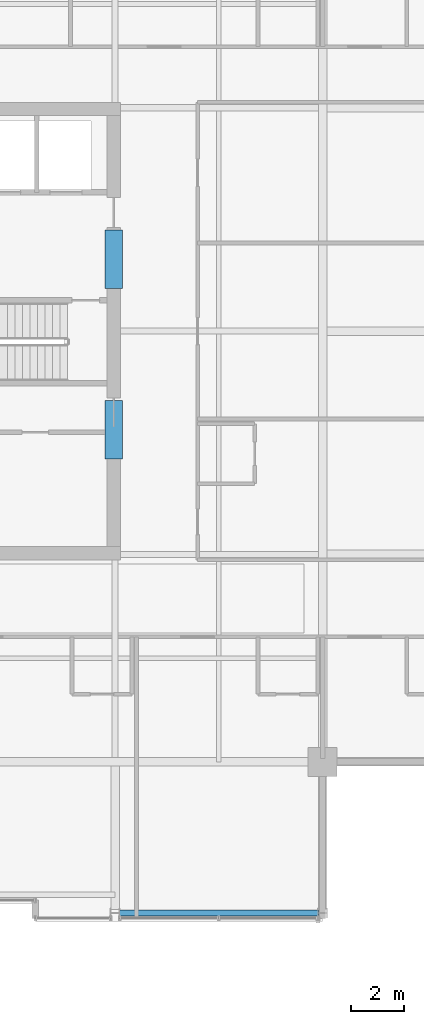
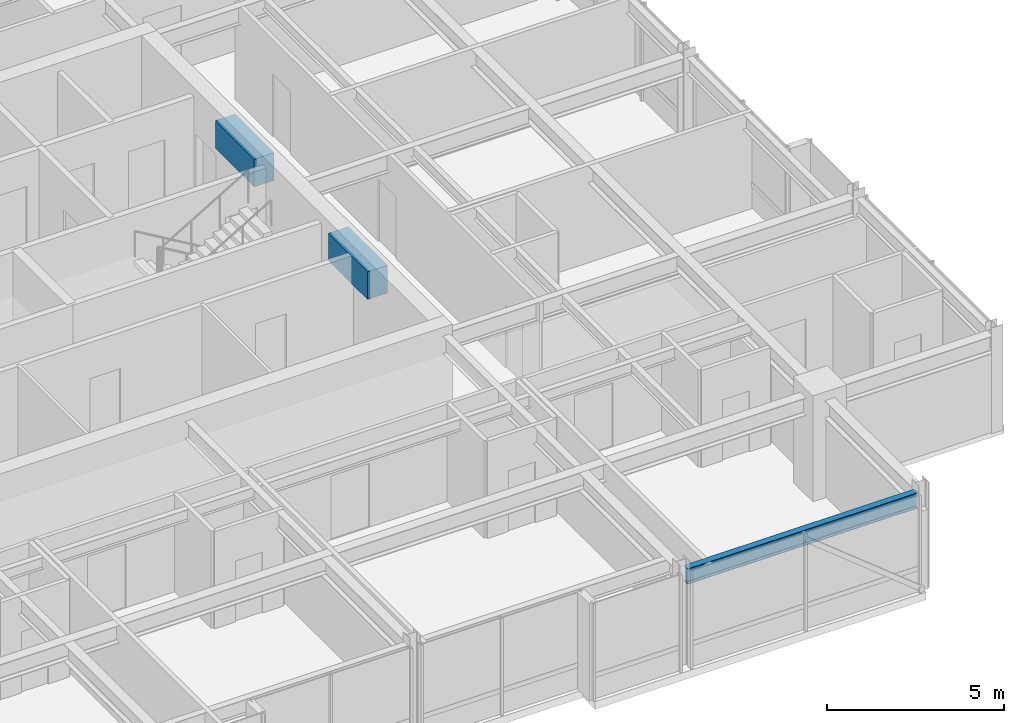
# One storey, part 14 of 34: 3 beams.
"""IFC4 building model written with IfcOpenShell, lengths in metres."""

from ifc_helpers import new_model, si_unit, direction, frame, origin, origin_2d, place, context, subcontext, project, spatial, rectangle, i_section, extrude, material, material_profile, profile_set, type_object, element, save


model = new_model("IFC4")

# Units and contexts
model_context = context("Model", 3, precision=1e-05, world=origin(), true_north=direction((0.0, 1.0)))
body_context = subcontext(model_context, "Body", "Model", "MODEL_VIEW")
ifc_project = project(units=[si_unit("LENGTHUNIT", "METRE"), si_unit("AREAUNIT", "SQUARE_METRE"), si_unit("VOLUMEUNIT", "CUBIC_METRE"), si_unit("PLANEANGLEUNIT", "RADIAN"), si_unit("MASSUNIT", "GRAM", prefix="KILO")], contexts=[model_context])

# Site, building, storey
site_placement = place(None, origin())
site = spatial("IfcSite", under=ifc_project, at=site_placement, CompositionType="ELEMENT")
building_placement = place(site_placement, origin())
building = spatial("IfcBuilding", under=site, at=building_placement, Name="Drelvath Grand Hotel", CompositionType="ELEMENT")
storey_placement = place(building_placement, frame((0.0, 0.0, 290.550048828125)))
storey = spatial("IfcBuildingStorey", under=building, at=storey_placement, Name="L76", CompositionType="ELEMENT", Elevation=290.550048828125)

# Beams
ifc_material_1 = material(Name="Concrete f'c 55 MPa", Category="concrete")
ifc_material_profile_1 = material_profile(ifc_material_1, rectangle(XDim=0.64990234375, YDim=0.949951171875, at=origin_2d()), Name="CB650X950")
ifc_profile_set_1 = profile_set([ifc_material_profile_1], Name="Concrete f'c 55 MPa")
beam_type_1 = type_object("IfcBeamType", Name="Core Coupling Lintel CB650X950", PredefinedType="LINTEL", material=ifc_profile_set_1)
for number, where, z_axis, x_axis, name in (
    (1, (8.35009765625, 22.199951171875, 2.875), (0.0, 1.0, 0.0), (-1.0, 0.0, 0.0), "L76 Core Coupling Lintel ES"),
    (2, (8.35009765625, 28.60009765625, 2.875), (0.0, 1.0, 0.0), (-1.0, 0.0, 0.0), "L76 Core Coupling Lintel EN"),
):
    element("IfcBeam", number, at=place(storey_placement, frame(where, z_axis=z_axis, x_axis=x_axis)), inside=storey, type_object=beam_type_1, Name=name, PredefinedType="LINTEL", context=body_context, shape_type="SweptSolid", body=[
        extrude(rectangle(XDim=0.64990234375, YDim=0.949951171875, at=origin_2d()), origin(), (0.0, 0.0, 1.0), 2.199951171875),
    ])
ifc_material_2 = material(Name="Steel ASTM A992 Gr 50", Category="steel")
ifc_material_profile_2 = material_profile(ifc_material_2, i_section(OverallWidth=0.210205078125, OverallDepth=0.53662109375, WebThickness=0.010986328125, FlangeThickness=0.017333984375, FilletRadius=0.01806640625, at=origin_2d()), Name="W21X68")
ifc_profile_set_2 = profile_set([ifc_material_profile_2], Name="Steel ASTM A992 Gr 50")
beam_type_2 = type_object("IfcBeamType", Name="Perimeter Spandrel Beam W21X68", PredefinedType="SPANDREL", material=ifc_profile_set_2)
beam_placement = place(storey_placement, frame((8.5400390625, 5.1201171875, 3.08154296875), z_axis=(1.0, 0.0, 0.0), x_axis=(0.0, 1.0, 0.0)))
element("IfcBeam", 3, at=beam_placement, inside=storey, type_object=beam_type_2, Name="L76 Spandrel South E", PredefinedType="SPANDREL", context=body_context, shape_type="SweptSolid", body=[
    extrude(i_section(OverallWidth=0.210205078125, OverallDepth=0.53662109375, WebThickness=0.010986328125, FlangeThickness=0.017333984375, FilletRadius=0.01806640625, at=origin_2d()), origin(), (0.0, 0.0, 1.0), 7.52001953125),
])

save(model, "model.ifc")
